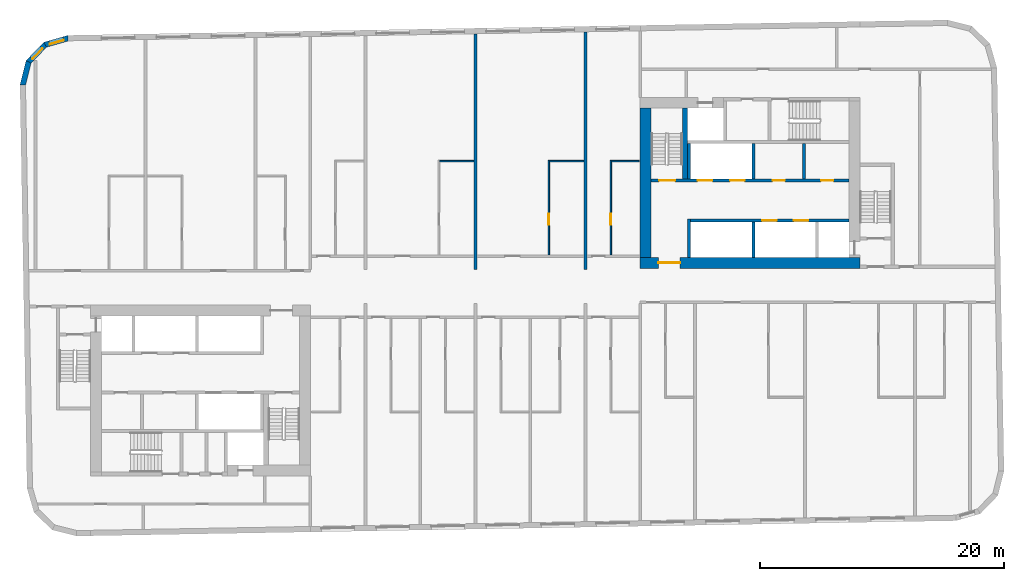
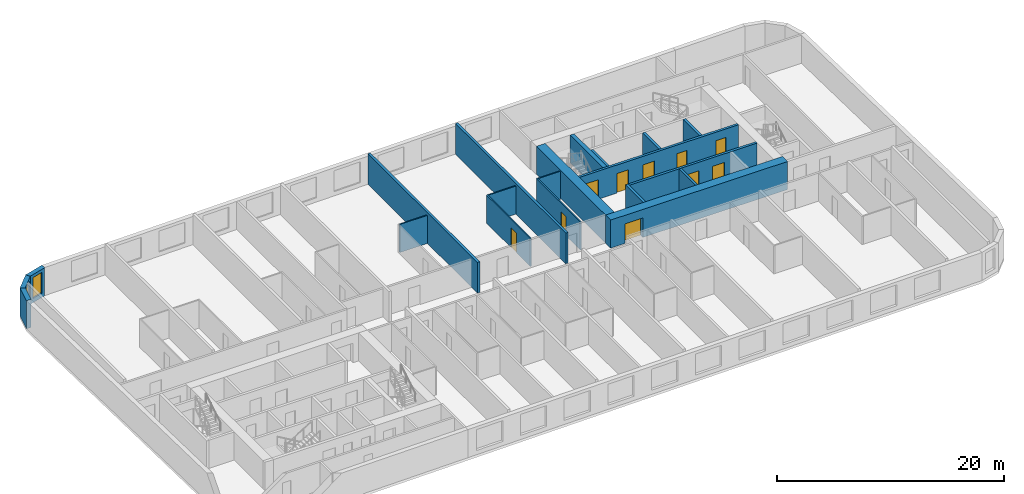
# One storey, part 5 of 11: 20 walls, 10 doors, 2 windows, 12 openings.
"""IFC4 building model written with IfcOpenShell, lengths in metres."""

from ifc_helpers import new_model, si_unit, direction, frame, frame_2d, origin, place, context, subcontext, project, spatial, polyline, rectangle, outline, extrude, material, layer, layer_set, type_object, element, fill, save


model = new_model("IFC4")

# Units and contexts
model_context = context("Model", 3, precision=1e-05, world=origin(), true_north=direction((0.0, 1.0)))
body_context = subcontext(model_context, "Body", "Model", "MODEL_VIEW")
ifc_project = project(units=[si_unit("LENGTHUNIT", "METRE"), si_unit("AREAUNIT", "SQUARE_METRE"), si_unit("VOLUMEUNIT", "CUBIC_METRE"), si_unit("PLANEANGLEUNIT", "RADIAN"), si_unit("MASSUNIT", "GRAM", prefix="KILO")], contexts=[model_context])

# Site, building, storey
site_placement = place(None, origin())
site = spatial("IfcSite", under=ifc_project, at=site_placement, CompositionType="ELEMENT")
building_placement = place(site_placement, origin())
building = spatial("IfcBuilding", under=site, at=building_placement, Name="Kajstack Hotel Tower", CompositionType="ELEMENT")
storey_placement = place(building_placement, frame((0.0, 0.0, 244.10009765625)))
storey = spatial("IfcBuildingStorey", under=building, at=storey_placement, Name="L60", CompositionType="ELEMENT", Elevation=244.10009765625)

# Wall, opening, door
ifc_material_1 = material(Name="Concrete C60/75", Category="concrete")
ifc_layer_1 = layer(ifc_material_1, 0.89990234375)
ifc_layer_set_1 = layer_set([ifc_layer_1], Name="Core wall 900")
wall_type_1 = type_object("IfcWallType", Name="Core wall 900", PredefinedType="SHEAR", material=ifc_layer_set_1)
wall_1_placement = place(storey_placement, frame((13.5, 1.949951171875, 0.0), z_axis=(0.0, 0.0, 1.0), x_axis=(1.0, 0.0, 0.0)))
wall_1 = element("IfcWall", 1, at=wall_1_placement, inside=storey, type_object=wall_type_1, Name="Core wall E RN", PredefinedType="SHEAR", context=body_context, shape_type="SweptSolid", body=[
    extrude(rectangle(XDim=18.0, YDim=0.89990234375, at=frame_2d((9.0, 0.0))), origin(), (0.0, 0.0, 1.0), 3.02001953125),
])
opening_1_placement = place(wall_1_placement, frame((1.47509765625, 0.0, 0.0)))
opening_1 = element("IfcOpeningElement", 2, at=opening_1_placement, cuts=wall_1, Name="Opening 60E07", PredefinedType="OPENING", context=body_context, shape_type="SweptSolid", body=[
    extrude(rectangle(XDim=1.800048828125, YDim=2.10009765625, at=frame_2d((0.89990234375, 1.050048828125))), frame((0.0, 0.4599609375, 0.0), z_axis=(0.0, -1.0, 0.0), x_axis=(1.0, 0.0, 0.0)), (0.0, 0.0, 1.0), 0.919921875),
])
ifc_material_2 = material(Name="Glazed steel frame, fire-rated glass", Category="steel")
door_type_1 = type_object("IfcDoorType", Name="Lobby double door 1800", OperationType="DOUBLE_DOOR_DOUBLE_SWING", PredefinedType="DOOR", material=ifc_material_2)
door_1_placement = place(opening_1_placement, origin())
door_1 = element("IfcDoor", 3, at=door_1_placement, inside=storey, type_object=door_type_1, Name="Door 60E07", OperationType="DOUBLE_DOOR_DOUBLE_SWING", OverallHeight=2.10009765625, OverallWidth=1.800048828125, PredefinedType="DOOR", context=body_context, shape_type="SweptSolid", body=[
    extrude(rectangle(XDim=1.800048828125, YDim=2.10009765625, at=frame_2d((0.89990234375, 1.050048828125))), frame((0.0, 0.02490234375, 0.0), z_axis=(0.0, -1.0, 0.0), x_axis=(1.0, 0.0, 0.0)), (0.0, 0.0, 1.0), 0.050048828125),
])
fill(opening_1, door_1)

# Wall
wall_2_placement = place(storey_placement, frame((13.949951171875, 2.39990234375, 0.0), z_axis=(0.0, 0.0, 1.0), x_axis=(0.0, 1.0, 0.0)))
element("IfcWall", 4, at=wall_2_placement, inside=storey, type_object=wall_type_1, Name="Core wall E RE", PredefinedType="SHEAR", context=body_context, shape_type="SweptSolid", body=[
    extrude(rectangle(XDim=12.2001953125, YDim=0.89990234375, at=frame_2d((6.10009765625, 0.0))), origin(), (0.0, 0.0, 1.0), 3.02001953125),
])

# Wall, opening, window
ifc_material_3 = material(Name="Terracotta-faced brick masonry", Category="masonry")
ifc_layer_2 = layer(ifc_material_3, 0.449951171875)
ifc_layer_set_2 = layer_set([ifc_layer_2], Name="EW-TERRA")
wall_type_2 = type_object("IfcWallType", Name="EW-TERRA", PredefinedType="SOLIDWALL", material=ifc_layer_set_2)
wall_3_placement = place(storey_placement, frame((-33.290283203125, 20.352294921875, 0.0), z_axis=(0.0, 0.0, 1.0), x_axis=(-0.961247584925, -0.275686562016, 0.0)))
wall_3 = element("IfcWall", 5, at=wall_3_placement, inside=storey, type_object=wall_type_2, Name="E-wall-L60-13-00", PredefinedType="SOLIDWALL", context=body_context, shape_type="SweptSolid", body=[
    extrude(outline(polyline([(0.0, -0.22509765625), (2.070556640625, -0.22509765625), (1.949951171875, 0.224853515625), (0.12060546875, 0.224853515625), (0.0, -0.22509765625)])), origin(), (0.0, 0.0, 1.0), 3.02001953125),
])
opening_2_placement = place(wall_3_placement, frame((0.435302734375, 0.0, 0.449951171875)))
opening_2 = element("IfcOpeningElement", 6, at=opening_2_placement, cuts=wall_3, Name="Opening W3", PredefinedType="OPENING", context=body_context, shape_type="SweptSolid", body=[
    extrude(rectangle(XDim=1.199951171875, YDim=2.25, at=frame_2d((0.60009765625, 1.125))), frame((0.0, 0.23486328125, 0.0), z_axis=(0.0, -1.0, 0.0), x_axis=(1.0, 0.0, 0.0)), (0.0, 0.0, 1.0), 0.469970703125),
])
ifc_material_4 = material(Name="Timber-aluminium window, triple glazed", Category="wood")
window_type = type_object("IfcWindowType", Name="WG3", PartitioningType="SINGLE_PANEL", PredefinedType="WINDOW", material=ifc_material_4)
window_1_placement = place(opening_2_placement, origin())
window_1 = element("IfcWindow", 7, at=window_1_placement, inside=storey, type_object=window_type, Name="Window W3 L60-13", OverallHeight=2.25, OverallWidth=1.199951171875, PartitioningType="SINGLE_PANEL", PredefinedType="WINDOW", context=body_context, shape_type="SweptSolid", body=[
    extrude(rectangle(XDim=1.199951171875, YDim=2.25, at=frame_2d((0.60009765625, 1.125))), frame((0.0, 0.090087890625, 0.0), z_axis=(0.0, -1.0, 0.0), x_axis=(1.0, 0.0, 0.0)), (0.0, 0.0, 1.0), 0.06005859375),
])
fill(opening_2, window_1)

wall_4_placement = place(storey_placement, frame((-35.1806640625, 19.841552734375, 0.0), z_axis=(0.0, 0.0, 1.0), x_axis=(-0.694678672846, -0.719320193998, 0.0)))
wall_4 = element("IfcWall", 8, at=wall_4_placement, inside=storey, type_object=wall_type_2, Name="E-wall-L60-14-00", PredefinedType="SOLIDWALL", context=body_context, shape_type="SweptSolid", body=[
    extrude(outline(polyline([(0.0, -0.22509765625), (2.07080078125, -0.22509765625), (1.9501953125, 0.224853515625), (0.12060546875, 0.224853515625), (0.0, -0.22509765625)])), origin(), (0.0, 0.0, 1.0), 3.02001953125),
])
opening_3_placement = place(wall_4_placement, frame((0.435302734375, 0.0, 0.449951171875)))
opening_3 = element("IfcOpeningElement", 9, at=opening_3_placement, cuts=wall_4, Name="Opening W3", PredefinedType="OPENING", context=body_context, shape_type="SweptSolid", body=[
    extrude(rectangle(XDim=1.199951171875, YDim=2.25, at=frame_2d((0.60009765625, 1.125))), frame((0.0, 0.23486328125, 0.0), z_axis=(0.0, -1.0, 0.0), x_axis=(1.0, 0.0, 0.0)), (0.0, 0.0, 1.0), 0.469970703125),
])
window_2_placement = place(opening_3_placement, origin())
window_2 = element("IfcWindow", 10, at=window_2_placement, inside=storey, type_object=window_type, Name="Window W3 L60-14", OverallHeight=2.25, OverallWidth=1.199951171875, PartitioningType="SINGLE_PANEL", PredefinedType="WINDOW", context=body_context, shape_type="SweptSolid", body=[
    extrude(rectangle(XDim=1.199951171875, YDim=2.25, at=frame_2d((0.60009765625, 1.125))), frame((0.0, 0.090087890625, 0.0), z_axis=(0.0, -1.0, 0.0), x_axis=(1.0, 0.0, 0.0)), (0.0, 0.0, 1.0), 0.06005859375),
])
fill(opening_3, window_2)

# Walls
wall_5_placement = place(storey_placement, frame((-36.562744140625, 18.453857421875, 0.0), z_axis=(0.0, 0.0, 1.0), x_axis=(-0.241869623482, -0.970308757683, 0.0)))
element("IfcWall", 11, at=wall_5_placement, inside=storey, type_object=wall_type_2, Name="E-wall-L60-15-00", PredefinedType="SOLIDWALL", context=body_context, shape_type="SweptSolid", body=[
    extrude(outline(polyline([(-0.000244140625, -0.224853515625), (2.0703125, -0.22509765625), (1.94970703125, 0.224853515625), (0.120361328125, 0.22509765625), (-0.000244140625, -0.224853515625)])), origin(), (0.0, 0.0, 1.0), 3.02001953125),
])
ifc_material_5 = material(Name="Gypsum board and tiled backer on steel studs", Category="steel")
ifc_layer_3 = layer(ifc_material_5, 0.125)
ifc_layer_set_3 = layer_set([ifc_layer_3], Name="En-suite wall 125")
wall_type_3 = type_object("IfcWallType", Name="En-suite wall 125", PredefinedType="PARTITIONING", material=ifc_layer_set_3)
wall_6_placement = place(storey_placement, frame((-2.925048828125, 10.261962890625, 0.0), z_axis=(0.0, 0.0, 1.0), x_axis=(1.0, 0.0, 0.0)))
element("IfcWall", 12, at=wall_6_placement, inside=storey, type_object=wall_type_3, Name="G-wall-L60-015", PredefinedType="PARTITIONING", context=body_context, shape_type="SweptSolid", body=[
    extrude(rectangle(XDim=2.800048828125, YDim=0.125, at=frame_2d((1.39990234375, 0.0))), origin(), (0.0, 0.0, 1.0), 3.02001953125),
])

# Wall, opening, door
wall_7_placement = place(storey_placement, frame((6.012939453125, 2.60009765625, 0.0), z_axis=(0.0, 0.0, 1.0), x_axis=(0.0, 1.0, 0.0)))
wall_7 = element("IfcWall", 13, at=wall_7_placement, inside=storey, type_object=wall_type_3, Name="G-wall-L60-016", PredefinedType="PARTITIONING", context=body_context, shape_type="SweptSolid", body=[
    extrude(rectangle(XDim=7.724853515625, YDim=0.125, at=frame_2d((3.8623046875, 0.0))), origin(), (0.0, 0.0, 1.0), 3.02001953125),
])
opening_4_placement = place(wall_7_placement, frame((2.449951171875, 0.0, 0.0)))
opening_4 = element("IfcOpeningElement", 14, at=opening_4_placement, cuts=wall_7, Name="Opening 60012", PredefinedType="OPENING", context=body_context, shape_type="SweptSolid", body=[
    extrude(rectangle(XDim=0.89990234375, YDim=2.10009765625, at=frame_2d((0.449951171875, 1.050048828125))), frame((0.0, 0.072509765625, 0.0), z_axis=(0.0, -1.0, 0.0), x_axis=(1.0, 0.0, 0.0)), (0.0, 0.0, 1.0), 0.14501953125),
])
ifc_material_6 = material(Name="Painted timber door leaf", Category="wood")
door_type_2 = type_object("IfcDoorType", Name="Room door 900", OperationType="SINGLE_SWING_LEFT", PredefinedType="DOOR", material=ifc_material_6)
door_2_placement = place(opening_4_placement, origin())
door_2 = element("IfcDoor", 15, at=door_2_placement, inside=storey, type_object=door_type_2, Name="G-door-L60-12", OperationType="SINGLE_SWING_RIGHT", OverallHeight=2.10009765625, OverallWidth=0.89990234375, PredefinedType="DOOR", context=body_context, shape_type="SweptSolid", body=[
    extrude(rectangle(XDim=0.89990234375, YDim=2.10009765625, at=frame_2d((0.449951171875, 1.050048828125))), frame((0.0, 0.02490234375, 0.0), z_axis=(0.0, -1.0, 0.0), x_axis=(1.0, 0.0, 0.0)), (0.0, 0.0, 1.0), 0.050048828125),
])
fill(opening_4, door_2)

# Wall
wall_8_placement = place(storey_placement, frame((6.074951171875, 10.261962890625, 0.0), z_axis=(0.0, 0.0, 1.0), x_axis=(1.0, 0.0, 0.0)))
element("IfcWall", 16, at=wall_8_placement, inside=storey, type_object=wall_type_3, Name="G-wall-L60-017", PredefinedType="PARTITIONING", context=body_context, shape_type="SweptSolid", body=[
    extrude(rectangle(XDim=2.800048828125, YDim=0.125, at=frame_2d((1.39990234375, 0.0))), origin(), (0.0, 0.0, 1.0), 3.02001953125),
])

# Wall, opening, door
wall_9_placement = place(storey_placement, frame((11.087890625, 2.60009765625, 0.0), z_axis=(0.0, 0.0, 1.0), x_axis=(0.0, 1.0, 0.0)))
wall_9 = element("IfcWall", 17, at=wall_9_placement, inside=storey, type_object=wall_type_3, Name="G-wall-L60-018", PredefinedType="PARTITIONING", context=body_context, shape_type="SweptSolid", body=[
    extrude(rectangle(XDim=7.724853515625, YDim=0.125, at=frame_2d((3.8623046875, 0.0))), origin(), (0.0, 0.0, 1.0), 3.02001953125),
])
opening_5_placement = place(wall_9_placement, frame((2.449951171875, 0.0, 0.0)))
opening_5 = element("IfcOpeningElement", 18, at=opening_5_placement, cuts=wall_9, Name="Opening 60014", PredefinedType="OPENING", context=body_context, shape_type="SweptSolid", body=[
    extrude(rectangle(XDim=0.89990234375, YDim=2.10009765625, at=frame_2d((0.449951171875, 1.050048828125))), frame((0.0, 0.072509765625, 0.0), z_axis=(0.0, -1.0, 0.0), x_axis=(1.0, 0.0, 0.0)), (0.0, 0.0, 1.0), 0.14501953125),
])
door_3_placement = place(opening_5_placement, origin())
door_3 = element("IfcDoor", 19, at=door_3_placement, inside=storey, type_object=door_type_2, Name="G-door-L60-14", OperationType="SINGLE_SWING_LEFT", OverallHeight=2.10009765625, OverallWidth=0.89990234375, PredefinedType="DOOR", context=body_context, shape_type="SweptSolid", body=[
    extrude(rectangle(XDim=0.89990234375, YDim=2.10009765625, at=frame_2d((0.449951171875, 1.050048828125))), frame((0.0, 0.02490234375, 0.0), z_axis=(0.0, -1.0, 0.0), x_axis=(1.0, 0.0, 0.0)), (0.0, 0.0, 1.0), 0.050048828125),
])
fill(opening_5, door_3)

# Walls
wall_10_placement = place(storey_placement, frame((11.14990234375, 10.261962890625, 0.0), z_axis=(0.0, 0.0, 1.0), x_axis=(1.0, 0.0, 0.0)))
element("IfcWall", 20, at=wall_10_placement, inside=storey, type_object=wall_type_3, Name="G-wall-L60-019", PredefinedType="PARTITIONING", context=body_context, shape_type="SweptSolid", body=[
    extrude(rectangle(XDim=2.25, YDim=0.125, at=frame_2d((1.125, 0.0))), origin(), (0.0, 0.0, 1.0), 3.02001953125),
])
ifc_material_7 = material(Name="Concrete C50/60", Category="concrete")
ifc_layer_4 = layer(ifc_material_7, 0.300048828125)
ifc_layer_set_4 = layer_set([ifc_layer_4], Name="Hoistway divider wall 300")
wall_type_4 = type_object("IfcWallType", Name="Hoistway divider wall 300", PredefinedType="SHEAR", material=ifc_layer_set_4)
wall_11_placement = place(storey_placement, frame((22.77490234375, 2.39990234375, 0.0), z_axis=(0.0, 0.0, 1.0), x_axis=(0.0, 1.0, 0.0)))
element("IfcWall", 21, at=wall_11_placement, inside=storey, type_object=wall_type_4, Name="Core wall E AP2", PredefinedType="SHEAR", context=body_context, shape_type="SweptSolid", body=[
    extrude(rectangle(XDim=2.900146484375, YDim=0.25, at=frame_2d((1.4501953125, 0.0))), origin(), (0.0, 0.0, 1.0), 3.02001953125),
])
wall_12_placement = place(storey_placement, frame((22.77490234375, 8.800048828125, 0.0), z_axis=(0.0, 0.0, 1.0), x_axis=(0.0, 1.0, 0.0)))
element("IfcWall", 22, at=wall_12_placement, inside=storey, type_object=wall_type_4, Name="Core wall E BP2", PredefinedType="SHEAR", context=body_context, shape_type="SweptSolid", body=[
    extrude(rectangle(XDim=2.89990234375, YDim=0.25, at=frame_2d((1.449951171875, 0.0))), origin(), (0.0, 0.0, 1.0), 3.02001953125),
])
ifc_material_8 = material(Name="Concrete C45/55", Category="concrete")
ifc_layer_5 = layer(ifc_material_8, 0.25)
ifc_layer_set_5 = layer_set([ifc_layer_5], Name="RC cross wall 250 C45/55")
wall_type_5 = type_object("IfcWallType", Name="RC cross wall 250 C45/55", PredefinedType="SHEAR", material=ifc_layer_set_5)
wall_13_placement = place(storey_placement, frame((0.0, 1.39990234375, 0.0), z_axis=(0.0, 0.0, 1.0), x_axis=(0.0, 1.0, 0.0)))
element("IfcWall", 23, at=wall_13_placement, inside=storey, type_object=wall_type_5, Name="S-wall-L60-07", PredefinedType="SHEAR", context=body_context, shape_type="SweptSolid", body=[
    extrude(rectangle(XDim=19.28857421875, YDim=0.25, at=frame_2d((9.644287109375, 0.0))), origin(), (0.0, 0.0, 1.0), 3.2998046875),
])
wall_14_placement = place(storey_placement, frame((9.0, 1.39990234375, 0.0), z_axis=(0.0, 0.0, 1.0), x_axis=(0.0, 1.0, 0.0)))
element("IfcWall", 24, at=wall_14_placement, inside=storey, type_object=wall_type_5, Name="S-wall-L60-09", PredefinedType="SHEAR", context=body_context, shape_type="SweptSolid", body=[
    extrude(rectangle(XDim=19.44580078125, YDim=0.25, at=frame_2d((9.722900390625, 0.0))), origin(), (0.0, 0.0, 1.0), 3.2998046875),
])
ifc_material_9 = material(Name="Concrete block masonry", Category="masonry")
ifc_layer_6 = layer(ifc_material_9, 0.25)
ifc_layer_set_6 = layer_set([ifc_layer_6], Name="Riser partition 250")
wall_type_6 = type_object("IfcWallType", Name="Riser partition 250", PredefinedType="PARTITIONING", material=ifc_layer_set_6)
wall_15_placement = place(storey_placement, frame((26.89990234375, 8.800048828125, 0.0), z_axis=(0.0, 0.0, 1.0), x_axis=(0.0, 1.0, 0.0)))
element("IfcWall", 25, at=wall_15_placement, inside=storey, type_object=wall_type_6, Name="Partition E BF0", PredefinedType="PARTITIONING", context=body_context, shape_type="SweptSolid", body=[
    extrude(rectangle(XDim=2.89990234375, YDim=0.25, at=frame_2d((1.449951171875, 0.0))), origin(), (0.0, 0.0, 1.0), 3.02001953125),
])

# Wall, openings, doors
ifc_layer_7 = layer(ifc_material_7, 0.25)
ifc_layer_set_7 = layer_set([ifc_layer_7], Name="Shaft wall 250")
wall_type_7 = type_object("IfcWallType", Name="Shaft wall 250", PredefinedType="SHEAR", material=ifc_layer_set_7)
wall_16_placement = place(storey_placement, frame((17.60009765625, 5.425048828125, 0.0), z_axis=(0.0, 0.0, 1.0), x_axis=(1.0, 0.0, 0.0)))
wall_16 = element("IfcWall", 26, at=wall_16_placement, inside=storey, type_object=wall_type_7, Name="Core wall E FA", PredefinedType="SHEAR", context=body_context, shape_type="SweptSolid", body=[
    extrude(rectangle(XDim=13.0, YDim=0.25, at=frame_2d((6.5, 0.0))), origin(), (0.0, 0.0, 1.0), 3.02001953125),
])
opening_6_placement = place(wall_16_placement, frame((8.47509765625, 0.0, 0.0)))
opening_6 = element("IfcOpeningElement", 27, at=opening_6_placement, cuts=wall_16, Name="Opening LD-MR7", PredefinedType="OPENING", context=body_context, shape_type="SweptSolid", body=[
    extrude(rectangle(XDim=1.199951171875, YDim=2.10009765625, at=frame_2d((0.60009765625, 1.050048828125))), frame((0.0, 0.135009765625, 0.0), z_axis=(0.0, -1.0, 0.0), x_axis=(1.0, 0.0, 0.0)), (0.0, 0.0, 1.0), 0.27001953125),
])
opening_7_placement = place(wall_16_placement, frame((5.875, 0.0, 0.0)))
opening_7 = element("IfcOpeningElement", 28, at=opening_7_placement, cuts=wall_16, Name="Opening LD-MR8", PredefinedType="OPENING", context=body_context, shape_type="SweptSolid", body=[
    extrude(rectangle(XDim=1.199951171875, YDim=2.10009765625, at=frame_2d((0.60009765625, 1.050048828125))), frame((0.0, 0.135009765625, 0.0), z_axis=(0.0, -1.0, 0.0), x_axis=(1.0, 0.0, 0.0)), (0.0, 0.0, 1.0), 0.27001953125),
])
ifc_material_10 = material(Name="Stainless steel", Category="steel")
door_type_3 = type_object("IfcDoorType", Name="Lift landing door 1200", OperationType="SLIDING_TO_LEFT", PredefinedType="DOOR", material=ifc_material_10)
door_4_placement = place(opening_6_placement, origin())
door_4 = element("IfcDoor", 29, at=door_4_placement, inside=storey, type_object=door_type_3, Name="Landing door MR7", OperationType="SLIDING_TO_LEFT", OverallHeight=2.10009765625, OverallWidth=1.199951171875, PredefinedType="DOOR", context=body_context, shape_type="SweptSolid", body=[
    extrude(rectangle(XDim=1.199951171875, YDim=2.10009765625, at=frame_2d((0.60009765625, 1.050048828125))), frame((0.0, 0.02490234375, 0.0), z_axis=(0.0, -1.0, 0.0), x_axis=(1.0, 0.0, 0.0)), (0.0, 0.0, 1.0), 0.050048828125),
])
fill(opening_6, door_4)
door_5_placement = place(opening_7_placement, origin())
door_5 = element("IfcDoor", 30, at=door_5_placement, inside=storey, type_object=door_type_3, Name="Landing door MR8", OperationType="SLIDING_TO_RIGHT", OverallHeight=2.10009765625, OverallWidth=1.199951171875, PredefinedType="DOOR", context=body_context, shape_type="SweptSolid", body=[
    extrude(rectangle(XDim=1.199951171875, YDim=2.10009765625, at=frame_2d((0.60009765625, 1.050048828125))), frame((0.0, 0.02490234375, 0.0), z_axis=(0.0, -1.0, 0.0), x_axis=(1.0, 0.0, 0.0)), (0.0, 0.0, 1.0), 0.050048828125),
])
fill(opening_7, door_5)

# Wall
wall_17_placement = place(storey_placement, frame((17.47509765625, 2.39990234375, 0.0), z_axis=(0.0, 0.0, 1.0), x_axis=(0.0, 1.0, 0.0)))
element("IfcWall", 31, at=wall_17_placement, inside=storey, type_object=wall_type_7, Name="Core wall E AE", PredefinedType="SHEAR", context=body_context, shape_type="SweptSolid", body=[
    extrude(rectangle(XDim=3.150146484375, YDim=0.25, at=frame_2d((1.5751953125, 0.0))), origin(), (0.0, 0.0, 1.0), 3.02001953125),
])

# Wall, openings, doors
wall_18_placement = place(storey_placement, frame((14.39990234375, 8.675048828125, 0.0), z_axis=(0.0, 0.0, 1.0), x_axis=(1.0, 0.0, 0.0)))
wall_18 = element("IfcWall", 32, at=wall_18_placement, inside=storey, type_object=wall_type_7, Name="Core wall E FB", PredefinedType="SHEAR", context=body_context, shape_type="SweptSolid", body=[
    extrude(rectangle(XDim=16.2001953125, YDim=0.25, at=frame_2d((8.10009765625, 0.0))), origin(), (0.0, 0.0, 1.0), 3.02001953125),
])
opening_8_placement = place(wall_18_placement, frame((6.449951171875, 0.0, 0.0)))
opening_8 = element("IfcOpeningElement", 33, at=opening_8_placement, cuts=wall_18, Name="Opening LD-MR5", PredefinedType="OPENING", context=body_context, shape_type="SweptSolid", body=[
    extrude(rectangle(XDim=1.199951171875, YDim=2.10009765625, at=frame_2d((0.60009765625, 1.050048828125))), frame((0.0, 0.135009765625, 0.0), z_axis=(0.0, -1.0, 0.0), x_axis=(1.0, 0.0, 0.0)), (0.0, 0.0, 1.0), 0.27001953125),
])
opening_9_placement = place(wall_18_placement, frame((3.800048828125, 0.0, 0.0)))
opening_9 = element("IfcOpeningElement", 34, at=opening_9_placement, cuts=wall_18, Name="Opening LD-MR6", PredefinedType="OPENING", context=body_context, shape_type="SweptSolid", body=[
    extrude(rectangle(XDim=1.199951171875, YDim=2.10009765625, at=frame_2d((0.60009765625, 1.050048828125))), frame((0.0, 0.135009765625, 0.0), z_axis=(0.0, -1.0, 0.0), x_axis=(1.0, 0.0, 0.0)), (0.0, 0.0, 1.0), 0.27001953125),
])
opening_10_placement = place(wall_18_placement, frame((0.64990234375, 0.0, 0.0)))
opening_10 = element("IfcOpeningElement", 35, at=opening_10_placement, cuts=wall_18, Name="Opening 60E11", PredefinedType="OPENING", context=body_context, shape_type="SweptSolid", body=[
    extrude(rectangle(XDim=1.300048828125, YDim=2.10009765625, at=frame_2d((0.64990234375, 1.050048828125))), frame((0.0, 0.135009765625, 0.0), z_axis=(0.0, -1.0, 0.0), x_axis=(1.0, 0.0, 0.0)), (0.0, 0.0, 1.0), 0.27001953125),
])
opening_11_placement = place(wall_18_placement, frame((13.91259765625, 0.0, 0.0)))
opening_11 = element("IfcOpeningElement", 36, at=opening_11_placement, cuts=wall_18, Name="Opening 60E14", PredefinedType="OPENING", context=body_context, shape_type="SweptSolid", body=[
    extrude(rectangle(XDim=1.0, YDim=2.10009765625, at=frame_2d((0.5, 1.050048828125))), frame((0.0, 0.135009765625, 0.0), z_axis=(0.0, -1.0, 0.0), x_axis=(1.0, 0.0, 0.0)), (0.0, 0.0, 1.0), 0.27001953125),
])
opening_12_placement = place(wall_18_placement, frame((9.9375, 0.0, 0.0)))
opening_12 = element("IfcOpeningElement", 37, at=opening_12_placement, cuts=wall_18, Name="Opening 60E15", PredefinedType="OPENING", context=body_context, shape_type="SweptSolid", body=[
    extrude(rectangle(XDim=1.0, YDim=2.10009765625, at=frame_2d((0.5, 1.050048828125))), frame((0.0, 0.135009765625, 0.0), z_axis=(0.0, -1.0, 0.0), x_axis=(1.0, 0.0, 0.0)), (0.0, 0.0, 1.0), 0.27001953125),
])
door_6_placement = place(opening_8_placement, origin())
door_6 = element("IfcDoor", 38, at=door_6_placement, inside=storey, type_object=door_type_3, Name="Landing door MR5", OperationType="SLIDING_TO_LEFT", OverallHeight=2.10009765625, OverallWidth=1.199951171875, PredefinedType="DOOR", context=body_context, shape_type="SweptSolid", body=[
    extrude(rectangle(XDim=1.199951171875, YDim=2.10009765625, at=frame_2d((0.60009765625, 1.050048828125))), frame((0.0, 0.02490234375, 0.0), z_axis=(0.0, -1.0, 0.0), x_axis=(1.0, 0.0, 0.0)), (0.0, 0.0, 1.0), 0.050048828125),
])
fill(opening_8, door_6)
door_7_placement = place(opening_9_placement, origin())
door_7 = element("IfcDoor", 39, at=door_7_placement, inside=storey, type_object=door_type_3, Name="Landing door MR6", OperationType="SLIDING_TO_RIGHT", OverallHeight=2.10009765625, OverallWidth=1.199951171875, PredefinedType="DOOR", context=body_context, shape_type="SweptSolid", body=[
    extrude(rectangle(XDim=1.199951171875, YDim=2.10009765625, at=frame_2d((0.60009765625, 1.050048828125))), frame((0.0, 0.02490234375, 0.0), z_axis=(0.0, -1.0, 0.0), x_axis=(1.0, 0.0, 0.0)), (0.0, 0.0, 1.0), 0.050048828125),
])
fill(opening_9, door_7)
ifc_material_11 = material(Name="Timber leaf, fire-rated", Category="wood")
door_type_4 = type_object("IfcDoorType", Name="Service room door 1000", OperationType="SINGLE_SWING_LEFT", PredefinedType="DOOR", material=ifc_material_11)
door_8_placement = place(opening_11_placement, origin())
door_8 = element("IfcDoor", 40, at=door_8_placement, inside=storey, type_object=door_type_4, Name="Door 60E14", OperationType="SINGLE_SWING_LEFT", OverallHeight=2.10009765625, OverallWidth=1.0, PredefinedType="DOOR", context=body_context, shape_type="SweptSolid", body=[
    extrude(rectangle(XDim=1.0, YDim=2.10009765625, at=frame_2d((0.5, 1.050048828125))), frame((0.0, 0.02490234375, 0.0), z_axis=(0.0, -1.0, 0.0), x_axis=(1.0, 0.0, 0.0)), (0.0, 0.0, 1.0), 0.050048828125),
])
fill(opening_11, door_8)
door_9_placement = place(opening_12_placement, origin())
door_9 = element("IfcDoor", 41, at=door_9_placement, inside=storey, type_object=door_type_4, Name="Door 60E15", OperationType="SINGLE_SWING_LEFT", OverallHeight=2.10009765625, OverallWidth=1.0, PredefinedType="DOOR", context=body_context, shape_type="SweptSolid", body=[
    extrude(rectangle(XDim=1.0, YDim=2.10009765625, at=frame_2d((0.5, 1.050048828125))), frame((0.0, 0.02490234375, 0.0), z_axis=(0.0, -1.0, 0.0), x_axis=(1.0, 0.0, 0.0)), (0.0, 0.0, 1.0), 0.050048828125),
])
fill(opening_12, door_9)
ifc_material_12 = material(Name="Steel leaf, fire-rated", Category="steel")
door_type_5 = type_object("IfcDoorType", Name="Stair door 1300", OperationType="SINGLE_SWING_LEFT", PredefinedType="DOOR", material=ifc_material_12)
door_10_placement = place(opening_10_placement, origin())
door_10 = element("IfcDoor", 42, at=door_10_placement, inside=storey, type_object=door_type_5, Name="Door 60E11", OperationType="SINGLE_SWING_LEFT", OverallHeight=2.10009765625, OverallWidth=1.300048828125, PredefinedType="DOOR", context=body_context, shape_type="SweptSolid", body=[
    extrude(rectangle(XDim=1.300048828125, YDim=2.10009765625, at=frame_2d((0.64990234375, 1.050048828125))), frame((0.0, 0.02490234375, 0.0), z_axis=(0.0, -1.0, 0.0), x_axis=(1.0, 0.0, 0.0)), (0.0, 0.0, 1.0), 0.050048828125),
])
fill(opening_10, door_10)

# Walls
wall_19_placement = place(storey_placement, frame((17.47509765625, 8.800048828125, 0.0), z_axis=(0.0, 0.0, 1.0), x_axis=(0.0, 1.0, 0.0)))
element("IfcWall", 43, at=wall_19_placement, inside=storey, type_object=wall_type_7, Name="Core wall E BE", PredefinedType="SHEAR", context=body_context, shape_type="SweptSolid", body=[
    extrude(rectangle(XDim=2.89990234375, YDim=0.25, at=frame_2d((1.449951171875, 0.0))), origin(), (0.0, 0.0, 1.0), 3.02001953125),
])
ifc_layer_8 = layer(ifc_material_7, 0.39990234375)
ifc_layer_set_8 = layer_set([ifc_layer_8], Name="Stair wall 400")
wall_type_8 = type_object("IfcWallType", Name="Stair wall 400", PredefinedType="SHEAR", material=ifc_layer_set_8)
wall_20_placement = place(storey_placement, frame((17.14990234375, 8.800048828125, 0.0), z_axis=(0.0, 0.0, 1.0), x_axis=(0.0, 1.0, 0.0)))
element("IfcWall", 44, at=wall_20_placement, inside=storey, type_object=wall_type_8, Name="Core wall E WW2", PredefinedType="SHEAR", context=body_context, shape_type="SweptSolid", body=[
    extrude(rectangle(XDim=5.800048828125, YDim=0.39990234375, at=frame_2d((2.89990234375, 0.0))), origin(), (0.0, 0.0, 1.0), 3.02001953125),
])

save(model, "model.ifc")
